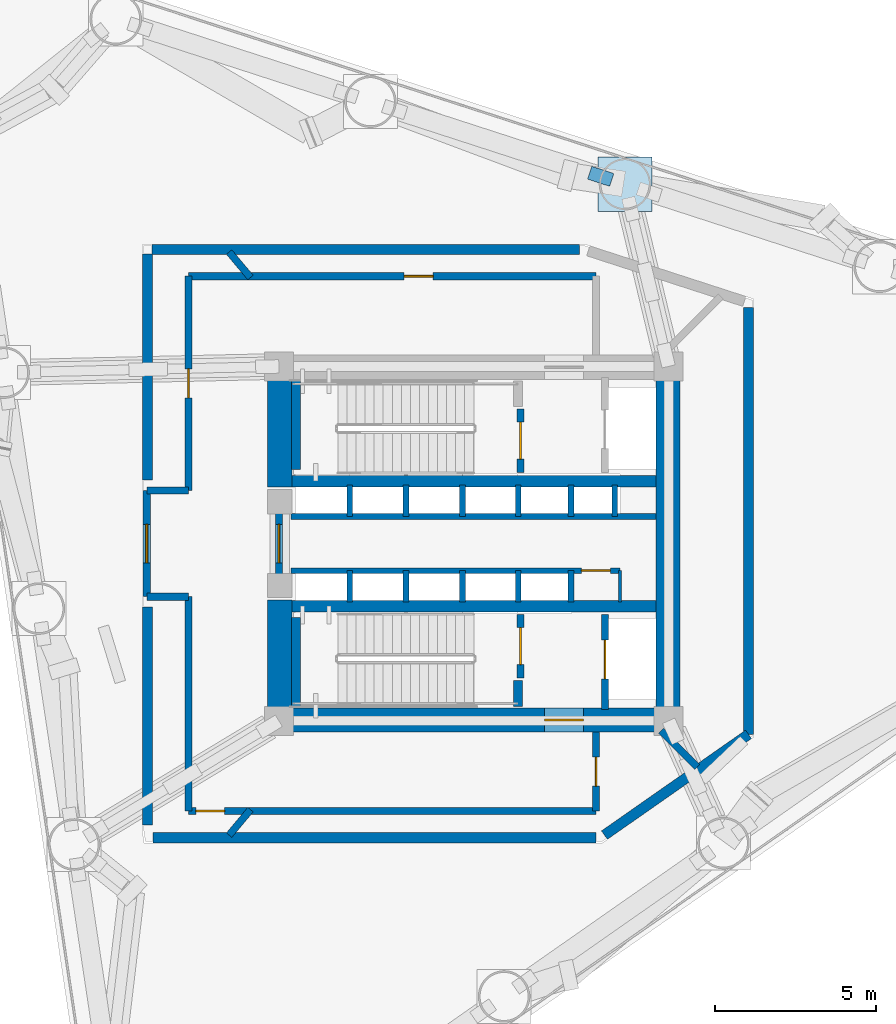
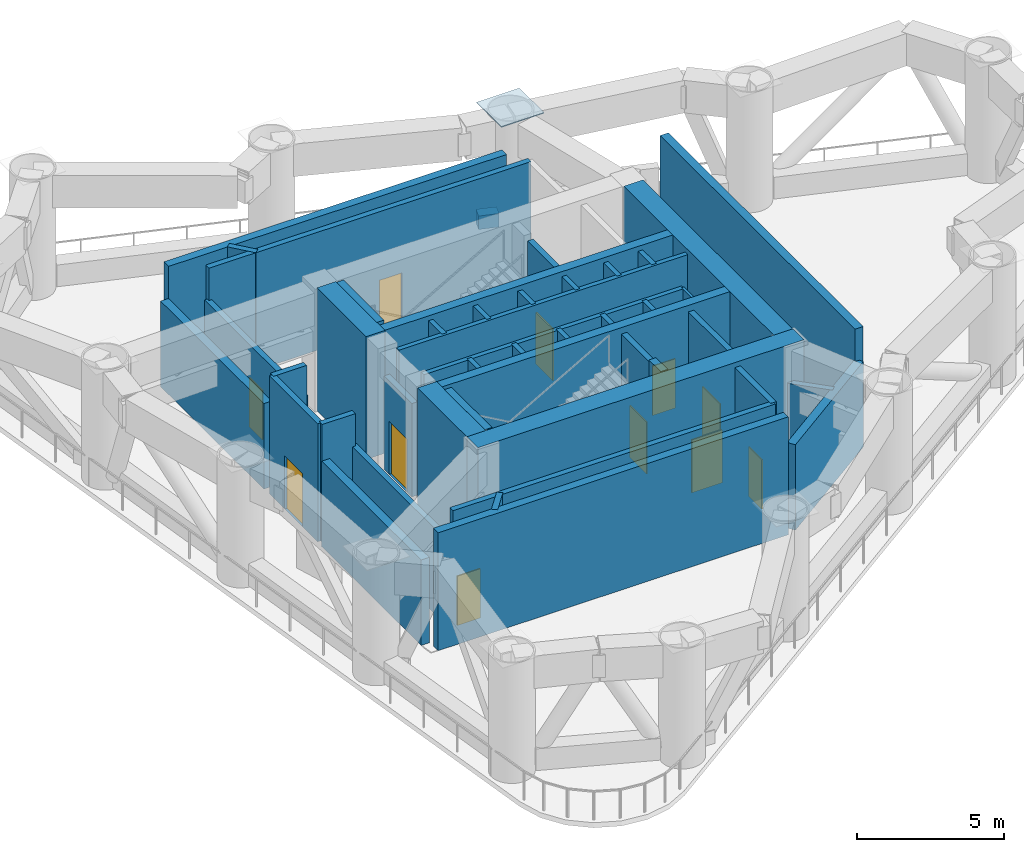
# One storey, part 4 of 8: 44 walls, 11 doors, 2 plates, 11 openings.
"""IFC4 building model written with IfcOpenShell, lengths in metres."""

from ifc_helpers import new_model, si_unit, direction, frame, frame_2d, origin, origin_2d, place, context, subcontext, project, spatial, rectangle, extrude, source, transform, mapped, material, layer, layer_set, type_object, element, fill, save


model = new_model("IFC4")

# Units and contexts
model_context = context("Model", 3, precision=1e-05, world=origin(), true_north=direction((0.0, 1.0)))
body_context = subcontext(model_context, "Body", "Model", "MODEL_VIEW")
ifc_project = project(units=[si_unit("LENGTHUNIT", "METRE"), si_unit("AREAUNIT", "SQUARE_METRE"), si_unit("VOLUMEUNIT", "CUBIC_METRE"), si_unit("PLANEANGLEUNIT", "RADIAN"), si_unit("MASSUNIT", "GRAM", prefix="KILO")], contexts=[model_context])

# Site, building, storey
site_placement = place(None, origin())
site = spatial("IfcSite", under=ifc_project, at=site_placement, CompositionType="ELEMENT")
building_placement = place(site_placement, origin())
building = spatial("IfcBuilding", under=site, at=building_placement, Name="Yunling Apex Tower", CompositionType="ELEMENT")
storey_placement = place(building_placement, frame((0.0, 0.0, 84.800048828125)))
storey = spatial("IfcBuildingStorey", under=building, at=storey_placement, Name="RF2", CompositionType="ELEMENT", Elevation=84.800048828125)

# Plates
ifc_material_1 = material(Name="Steel Q355B", Category="steel")
ifc_layer_1 = layer(ifc_material_1, 0.030029296875)
ifc_layer_set_1 = layer_set([ifc_layer_1], Name="Steel Q355B")
plate_type_1 = type_object("IfcPlateType", Name="NP-CAP-1", PredefinedType="USERDEFINED", material=ifc_layer_set_1)
shared_shape_1 = source(origin(), body_context, "Body", "SweptSolid", [
    extrude(rectangle(XDim=1.679931640625, YDim=1.679931640625, at=origin_2d()), origin(), (0.0, 0.0, 1.0), 0.035888671875),
])
plate_1_placement = place(storey_placement, frame((4.69482421875, 11.15673828125, 4.9970703125), z_axis=(0.0, 0.0, 1.0), x_axis=(1.0, 0.0, 0.0)))
element("IfcPlate", 1, at=plate_1_placement, inside=storey, type_object=plate_type_1, Name="RF2 Lower-Block CFST Column Top Cap Plate P08", ObjectType="CAP_PLATE", PredefinedType="USERDEFINED", context=body_context, shape_type="MappedRepresentation", body=[
    mapped(shared_shape_1, transform((0.0, 0.0, 0.0), scale=1.0)),
])
ifc_layer_2 = layer(ifc_material_1, 0.035888671875)
ifc_layer_set_2 = layer_set([ifc_layer_2], Name="Steel Q355B")
plate_type_2 = type_object("IfcPlateType", Name="NP-GUS-1", PredefinedType="USERDEFINED", material=ifc_layer_set_2)
shared_shape_2 = source(origin(), body_context, "Body", "SweptSolid", [
    extrude(rectangle(XDim=0.719970703125, YDim=0.419921875, at=origin_2d()), origin(), (0.0, 0.0, 1.0), 0.56005859375),
])
plate_2_placement = place(storey_placement, frame((3.94140625, 11.40087890625, 0.27001953125), z_axis=(0.0, 0.0, 1.0), x_axis=(-0.951272019071, 0.30835295642, 0.0)))
element("IfcPlate", 2, at=plate_2_placement, inside=storey, type_object=plate_type_2, Name="RF2 Belt Chord End Gusset Plate 62", ObjectType="GUSSET_PLATE", PredefinedType="USERDEFINED", context=body_context, shape_type="MappedRepresentation", body=[
    mapped(shared_shape_2, transform((0.0, 0.0, 0.0), scale=1.0)),
])

# Wall, opening, door
ifc_material_2 = material(Name="Concrete C60", Category="concrete")
ifc_layer_3 = layer(ifc_material_2, 0.75)
ifc_layer_set_3 = layer_set([ifc_layer_3], Name="Concrete C60")
wall_type_1 = type_object("IfcWallType", Name="WL-COR-1", PredefinedType="SHEAR", material=ifc_layer_set_3)
wall_1_placement = place(storey_placement, frame((-6.39990234375, -5.47509765625, 0.0), z_axis=(0.0, 0.0, 1.0), x_axis=(1.0, 0.0, 0.0)))
wall_1 = element("IfcWall", 3, at=wall_1_placement, inside=storey, type_object=wall_type_1, Name="RF2 South Core Shear Wall", PredefinedType="SHEAR", context=body_context, shape_type="SweptSolid", body=[
    extrude(rectangle(XDim=12.7998046875, YDim=0.75, at=frame_2d((6.39990234375, 0.0))), origin(), (0.0, 0.0, 1.0), 5.099853515625),
])
opening_1_placement = place(wall_1_placement, frame((8.60009765625, 0.0, 0.0)))
opening_1 = element("IfcOpeningElement", 4, at=opening_1_placement, cuts=wall_1, Name="Opening DR-FFL-1", PredefinedType="OPENING", context=body_context, shape_type="SweptSolid", body=[
    extrude(rectangle(XDim=1.199951171875, YDim=2.199951171875, at=frame_2d((0.60009765625, 1.10009765625))), frame((0.0, 0.385009765625, 0.0), z_axis=(0.0, -1.0, 0.0), x_axis=(1.0, 0.0, 0.0)), (0.0, 0.0, 1.0), 0.77001953125),
])
door_type_1 = type_object("IfcDoorType", Name="DR-FFL-1", OperationType="NOTDEFINED", PredefinedType="DOOR", material=ifc_material_1)
door_1_placement = place(opening_1_placement, origin())
door_1 = element("IfcDoor", 5, at=door_1_placement, inside=storey, type_object=door_type_1, Name="RF2 South Firefighting Lobby Door", OperationType="SINGLE_SWING_RIGHT", OverallHeight=2.199951171875, OverallWidth=1.199951171875, PredefinedType="DOOR", context=body_context, shape_type="SweptSolid", body=[
    extrude(rectangle(XDim=1.199951171875, YDim=2.199951171875, at=frame_2d((0.60009765625, 1.10009765625))), frame((0.0, 0.02490234375, 0.0), z_axis=(0.0, -1.0, 0.0), x_axis=(1.0, 0.0, 0.0)), (0.0, 0.0, 1.0), 0.050048828125),
])
fill(opening_1, door_1)

# Walls
wall_2_placement = place(storey_placement, frame((6.02490234375, -5.10009765625, 0.0), z_axis=(0.0, 0.0, 1.0), x_axis=(0.0, 1.0, 0.0)))
element("IfcWall", 6, at=wall_2_placement, inside=storey, type_object=wall_type_1, Name="RF2 East Core Shear Wall", PredefinedType="SHEAR", context=body_context, shape_type="SweptSolid", body=[
    extrude(rectangle(XDim=10.2001953125, YDim=0.75, at=frame_2d((5.10009765625, 0.0))), origin(), (0.0, 0.0, 1.0), 5.099853515625),
])
for number, where, z_axis, x_axis, name in (
    (7, (-6.02490234375, -5.10009765625, 0.0), (0.0, 0.0, 1.0), (0.0, 1.0, 0.0), "RF2 West-South Core Shear Wall"),
    (8, (-6.02490234375, 1.75, 0.0), (0.0, 0.0, 1.0), (0.0, 1.0, 0.0), "RF2 West-North Core Shear Wall"),
):
    element("IfcWall", number, at=place(storey_placement, frame(where, z_axis=z_axis, x_axis=x_axis)), inside=storey, type_object=wall_type_1, Name=name, PredefinedType="SHEAR", context=body_context, shape_type="SweptSolid", body=[
        extrude(rectangle(XDim=3.35009765625, YDim=0.75, at=frame_2d((1.675048828125, 0.0))), origin(), (0.0, 0.0, 1.0), 5.099853515625),
    ])
ifc_material_3 = material(Name="Concrete C40", Category="concrete")
ifc_layer_4 = layer(ifc_material_3, 0.360107421875)
ifc_layer_set_4 = layer_set([ifc_layer_4], Name="Concrete C40")
wall_type_2 = type_object("IfcWallType", Name="WL-COR-4", PredefinedType="SHEAR", material=ifc_layer_set_4)
for number, where, z_axis, x_axis, name in (
    (9, (-5.64990234375, 1.93994140625, 0.0), (0.0, 0.0, 1.0), (1.0, 0.0, 0.0), "RF2 North Internal Core Shear Wall"),
    (10, (-5.64990234375, -1.93994140625, 0.0), (0.0, 0.0, 1.0), (1.0, 0.0, 0.0), "RF2 South Internal Core Shear Wall"),
):
    element("IfcWall", number, at=place(storey_placement, frame(where, z_axis=z_axis, x_axis=x_axis)), inside=storey, type_object=wall_type_2, Name=name, PredefinedType="SHEAR", context=body_context, shape_type="SweptSolid", body=[
        extrude(rectangle(XDim=11.2998046875, YDim=0.360107421875, at=frame_2d((5.64990234375, 0.0))), origin(), (0.0, 0.0, 1.0), 5.099853515625),
    ])
ifc_layer_5 = layer(ifc_material_3, 0.280029296875)
ifc_layer_set_5 = layer_set([ifc_layer_5], Name="Concrete C40")
wall_type_3 = type_object("IfcWallType", Name="WL-COR-8", PredefinedType="SHEAR", material=ifc_layer_set_5)
for number, where, z_axis, x_axis, name in (
    (11, (-5.52001953125, 2.300048828125, 0.0), (0.0, 0.0, 1.0), (0.0, 1.0, 0.0), "RF2 ST-1 West Landing Bearing Wall"),
    (12, (-5.52001953125, -5.050048828125, 0.0), (0.0, 0.0, 1.0), (0.0, 1.0, 0.0), "RF2 ST-2 West Landing Bearing Wall"),
):
    element("IfcWall", number, at=place(storey_placement, frame(where, z_axis=z_axis, x_axis=x_axis)), inside=storey, type_object=wall_type_3, Name=name, PredefinedType="SHEAR", context=body_context, shape_type="SweptSolid", body=[
        extrude(rectangle(XDim=2.75, YDim=0.280029296875, at=frame_2d((1.375, 0.0))), origin(), (0.0, 0.0, 1.0), 5.099853515625),
    ])
wall_3_placement = place(storey_placement, frame((1.3798828125, -5.050048828125, 0.0), z_axis=(0.0, 0.0, 1.0), x_axis=(0.0, 1.0, 0.0)))
element("IfcWall", 13, at=wall_3_placement, inside=storey, type_object=wall_type_3, Name="RF2 ST-2 East Landing Bearing Pier", PredefinedType="SHEAR", context=body_context, shape_type="SweptSolid", body=[
    extrude(rectangle(XDim=0.800048828125, YDim=0.280029296875, at=frame_2d((0.39990234375, 0.0))), origin(), (0.0, 0.0, 1.0), 5.099853515625),
])
ifc_material_4 = material(Name="Precast concrete C40", Category="concrete")
ifc_layer_6 = layer(ifc_material_4, 0.320068359375)
ifc_layer_set_6 = layer_set([ifc_layer_6], Name="Precast concrete C40")
wall_type_4 = type_object("IfcWallType", Name="WL-EXT-1", PredefinedType="SOLIDWALL", material=ifc_layer_set_6)
wall_4_placement = place(storey_placement, frame((8.530029296875, -5.921630859375, 0.0), z_axis=(0.0, 0.0, 1.0), x_axis=(-0.819536456939, -0.573027046262, 0.0)))
element("IfcWall", 14, at=wall_4_placement, inside=storey, type_object=wall_type_4, Name="WL-RF2-IR-01", PredefinedType="SOLIDWALL", context=body_context, shape_type="SweptSolid", body=[
    extrude(rectangle(XDim=5.458984375, YDim=0.320068359375, at=frame_2d((2.7294921875, 0.0))), origin(), (0.0, 0.0, 1.0), 3.550048828125),
])
wall_5_placement = place(storey_placement, frame((3.80126953125, -9.1298828125, 0.0), z_axis=(0.0, 0.0, 1.0), x_axis=(-1.0, 0.0, 0.0)))
element("IfcWall", 15, at=wall_5_placement, inside=storey, type_object=wall_type_4, Name="WL-RF2-IR-02", PredefinedType="SOLIDWALL", context=body_context, shape_type="SweptSolid", body=[
    extrude(rectangle(XDim=13.752685546875, YDim=0.320068359375, at=frame_2d((6.87646484375, 0.0))), origin(), (0.0, 0.0, 1.0), 4.89501953125),
])
wall_6_placement = place(storey_placement, frame((-10.1298828125, -8.7314453125, 0.0), z_axis=(0.0, 0.0, 1.0), x_axis=(0.0, 1.0, 0.0)))
element("IfcWall", 16, at=wall_6_placement, inside=storey, type_object=wall_type_4, Name="WL-RF2-IR-03", PredefinedType="SOLIDWALL", context=body_context, shape_type="SweptSolid", body=[
    extrude(rectangle(XDim=6.761474609375, YDim=0.320068359375, at=frame_2d((3.380859375, 0.0))), origin(), (0.0, 0.0, 1.0), 3.550048828125),
])
wall_7_placement = place(storey_placement, frame((-10.1298828125, 1.969970703125, 0.0), z_axis=(0.0, 0.0, 1.0), x_axis=(0.0, 1.0, 0.0)))
element("IfcWall", 17, at=wall_7_placement, inside=storey, type_object=wall_type_4, Name="WL-RF2-IR-04", PredefinedType="SOLIDWALL", context=body_context, shape_type="SweptSolid", body=[
    extrude(rectangle(XDim=7.02001953125, YDim=0.320068359375, at=frame_2d((3.510009765625, 0.0))), origin(), (0.0, 0.0, 1.0), 3.550048828125),
])
wall_8_placement = place(storey_placement, frame((-9.989990234375, 9.1298828125, 0.0), z_axis=(0.0, 0.0, 1.0), x_axis=(1.0, 0.0, 0.0)))
element("IfcWall", 18, at=wall_8_placement, inside=storey, type_object=wall_type_4, Name="WL-RF2-IR-05", PredefinedType="SOLIDWALL", context=body_context, shape_type="SweptSolid", body=[
    extrude(rectangle(XDim=13.273681640625, YDim=0.320068359375, at=frame_2d((6.63671875, 0.0))), origin(), (0.0, 0.0, 1.0), 4.89501953125),
])
wall_9_placement = place(storey_placement, frame((8.530029296875, 7.334716796875, 0.0), z_axis=(0.0, 0.0, 1.0), x_axis=(0.0, -1.0, 0.0)))
element("IfcWall", 19, at=wall_9_placement, inside=storey, type_object=wall_type_4, Name="WL-RF2-IR-07", PredefinedType="SOLIDWALL", context=body_context, shape_type="SweptSolid", body=[
    extrude(rectangle(XDim=13.25634765625, YDim=0.320068359375, at=frame_2d((6.628173828125, 0.0))), origin(), (0.0, 0.0, 1.0), 4.89501953125),
])
ifc_material_5 = material(Name="Gypsum board acoustic partition")
ifc_layer_7 = layer(ifc_material_5, 0.10009765625)
ifc_layer_set_7 = layer_set([ifc_layer_7], Name="Gypsum board acoustic partition")
wall_type_5 = type_object("IfcWallType", Name="WL-PRT-4", PredefinedType="PARTITIONING", material=ifc_layer_set_7)
wall_10_placement = place(storey_placement, frame((4.5400390625, -1.820068359375, 0.0), z_axis=(0.0, 0.0, 1.0), x_axis=(0.0, 1.0, 0.0)))
element("IfcWall", 20, at=wall_10_placement, inside=storey, type_object=wall_type_5, Name="WL-KASE-E-RF2", PredefinedType="PARTITIONING", context=body_context, shape_type="SweptSolid", body=[
    extrude(rectangle(XDim=0.97998046875, YDim=0.10009765625, at=frame_2d((0.489990234375, 0.0))), origin(), (0.0, 0.0, 1.0), 4.89501953125),
])

# Wall, opening, door
ifc_material_6 = material(Name="Autoclaved aerated concrete masonry", Category="masonry")
ifc_layer_8 = layer(ifc_material_6, 0.219970703125)
ifc_layer_set_8 = layer_set([ifc_layer_8], Name="Autoclaved aerated concrete masonry")
wall_type_6 = type_object("IfcWallType", Name="WL-SHF-1", PredefinedType="PLUMBINGWALL", material=ifc_layer_set_8)
wall_11_placement = place(storey_placement, frame((-6.050048828125, -0.949951171875, 0.0), z_axis=(0.0, 0.0, 1.0), x_axis=(0.0, 1.0, 0.0)))
wall_11 = element("IfcWall", 21, at=wall_11_placement, inside=storey, type_object=wall_type_6, Name="WL-COR-WPORT-RF2", PredefinedType="PLUMBINGWALL", context=body_context, shape_type="SweptSolid", body=[
    extrude(rectangle(XDim=1.89990234375, YDim=0.219970703125, at=frame_2d((0.949951171875, 0.0))), origin(), (0.0, 0.0, 1.0), 3.875),
])
opening_2_placement = place(wall_11_placement, frame((0.35009765625, 0.0, 0.0)))
opening_2 = element("IfcOpeningElement", 22, at=opening_2_placement, cuts=wall_11, Name="Opening DR-FFL-1", PredefinedType="OPENING", context=body_context, shape_type="SweptSolid", body=[
    extrude(rectangle(XDim=1.199951171875, YDim=2.199951171875, at=frame_2d((0.60009765625, 1.10009765625))), frame((0.0, 0.1201171875, 0.0), z_axis=(0.0, -1.0, 0.0), x_axis=(1.0, 0.0, 0.0)), (0.0, 0.0, 1.0), 0.239990234375),
])
door_2_placement = place(opening_2_placement, origin())
door_2 = element("IfcDoor", 23, at=door_2_placement, inside=storey, type_object=door_type_1, Name="RF2 Passenger Lift Lobby Entrance Door", OperationType="SINGLE_SWING_LEFT", OverallHeight=2.199951171875, OverallWidth=1.199951171875, PredefinedType="DOOR", context=body_context, shape_type="SweptSolid", body=[
    extrude(rectangle(XDim=1.199951171875, YDim=2.199951171875, at=frame_2d((0.60009765625, 1.10009765625))), frame((0.0, 0.02490234375, 0.0), z_axis=(0.0, -1.0, 0.0), x_axis=(1.0, 0.0, 0.0)), (0.0, 0.0, 1.0), 0.050048828125),
])
fill(opening_2, door_2)

wall_12_placement = place(storey_placement, frame((1.449951171875, 2.199951171875, 0.0), z_axis=(0.0, 0.0, 1.0), x_axis=(0.0, 1.0, 0.0)))
wall_12 = element("IfcWall", 24, at=wall_12_placement, inside=storey, type_object=wall_type_6, Name="WL-ST1-E-RF2", PredefinedType="PLUMBINGWALL", context=body_context, shape_type="SweptSolid", body=[
    extrude(rectangle(XDim=1.97998046875, YDim=0.219970703125, at=frame_2d((0.989990234375, 0.0))), origin(), (0.0, 0.0, 1.0), 4.89501953125),
])
opening_3_placement = place(wall_12_placement, frame((0.419921875, 0.0, 0.0)))
opening_3 = element("IfcOpeningElement", 25, at=opening_3_placement, cuts=wall_12, Name="Opening DR-ST-1", PredefinedType="OPENING", context=body_context, shape_type="SweptSolid", body=[
    extrude(rectangle(XDim=1.14990234375, YDim=2.14990234375, at=frame_2d((0.574951171875, 1.074951171875))), frame((0.0, 0.1201171875, 0.0), z_axis=(0.0, -1.0, 0.0), x_axis=(1.0, 0.0, 0.0)), (0.0, 0.0, 1.0), 0.239990234375),
])
door_type_2 = type_object("IfcDoorType", Name="DR-ST-1", OperationType="NOTDEFINED", PredefinedType="DOOR", material=ifc_material_1)
door_3_placement = place(opening_3_placement, origin())
door_3 = element("IfcDoor", 26, at=door_3_placement, inside=storey, type_object=door_type_2, Name="RF2 Stair ST-1 Fire Door", OperationType="SINGLE_SWING_RIGHT", OverallHeight=2.14990234375, OverallWidth=1.14990234375, PredefinedType="DOOR", context=body_context, shape_type="SweptSolid", body=[
    extrude(rectangle(XDim=1.14990234375, YDim=2.14990234375, at=frame_2d((0.574951171875, 1.074951171875))), frame((0.0, 0.02490234375, 0.0), z_axis=(0.0, -1.0, 0.0), x_axis=(1.0, 0.0, 0.0)), (0.0, 0.0, 1.0), 0.050048828125),
])
fill(opening_3, door_3)

wall_13_placement = place(storey_placement, frame((1.449951171875, -4.179931640625, 0.0), z_axis=(0.0, 0.0, 1.0), x_axis=(0.0, 1.0, 0.0)))
wall_13 = element("IfcWall", 27, at=wall_13_placement, inside=storey, type_object=wall_type_6, Name="WL-ST2-E-RF2", PredefinedType="PLUMBINGWALL", context=body_context, shape_type="SweptSolid", body=[
    extrude(rectangle(XDim=1.97998046875, YDim=0.219970703125, at=frame_2d((0.989990234375, 0.0))), origin(), (0.0, 0.0, 1.0), 4.89501953125),
])
opening_4_placement = place(wall_13_placement, frame((0.419921875, 0.0, 0.0)))
opening_4 = element("IfcOpeningElement", 28, at=opening_4_placement, cuts=wall_13, Name="Opening DR-ST-1", PredefinedType="OPENING", context=body_context, shape_type="SweptSolid", body=[
    extrude(rectangle(XDim=1.14990234375, YDim=2.14990234375, at=frame_2d((0.574951171875, 1.074951171875))), frame((0.0, 0.1201171875, 0.0), z_axis=(0.0, -1.0, 0.0), x_axis=(1.0, 0.0, 0.0)), (0.0, 0.0, 1.0), 0.239990234375),
])
door_4_placement = place(opening_4_placement, origin())
door_4 = element("IfcDoor", 29, at=door_4_placement, inside=storey, type_object=door_type_2, Name="RF2 Stair ST-2 Fire Door", OperationType="SINGLE_SWING_LEFT", OverallHeight=2.14990234375, OverallWidth=1.14990234375, PredefinedType="DOOR", context=body_context, shape_type="SweptSolid", body=[
    extrude(rectangle(XDim=1.14990234375, YDim=2.14990234375, at=frame_2d((0.574951171875, 1.074951171875))), frame((0.0, 0.02490234375, 0.0), z_axis=(0.0, -1.0, 0.0), x_axis=(1.0, 0.0, 0.0)), (0.0, 0.0, 1.0), 0.050048828125),
])
fill(opening_4, door_4)

wall_14_placement = place(storey_placement, frame((4.080078125, -5.14990234375, 0.0), z_axis=(0.0, 0.0, 1.0), x_axis=(0.0, 1.0, 0.0)))
wall_14 = element("IfcWall", 30, at=wall_14_placement, inside=storey, type_object=wall_type_6, Name="WL-FFL2-W-RF2", PredefinedType="PLUMBINGWALL", context=body_context, shape_type="SweptSolid", body=[
    extrude(rectangle(XDim=2.949951171875, YDim=0.219970703125, at=frame_2d((1.47509765625, 0.0))), origin(), (0.0, 0.0, 1.0), 4.89501953125),
])
opening_5_placement = place(wall_14_placement, frame((0.949951171875, 0.0, 0.0)))
opening_5 = element("IfcOpeningElement", 31, at=opening_5_placement, cuts=wall_14, Name="Opening LD-FFL-1", PredefinedType="OPENING", context=body_context, shape_type="SweptSolid", body=[
    extrude(rectangle(XDim=1.199951171875, YDim=2.25, at=frame_2d((0.60009765625, 1.125))), frame((0.0, 0.1201171875, 0.0), z_axis=(0.0, -1.0, 0.0), x_axis=(1.0, 0.0, 0.0)), (0.0, 0.0, 1.0), 0.239990234375),
])
door_type_3 = type_object("IfcDoorType", Name="LD-FFL-1", OperationType="DOUBLE_DOOR_SLIDING", PredefinedType="DOOR", material=ifc_material_1)
door_5_placement = place(opening_5_placement, origin())
door_5 = element("IfcDoor", 32, at=door_5_placement, inside=storey, type_object=door_type_3, Name="RF2 Lift FFL-2 Landing Door", OperationType="DOUBLE_DOOR_SLIDING", OverallHeight=2.25, OverallWidth=1.199951171875, PredefinedType="DOOR", context=body_context, shape_type="SweptSolid", body=[
    extrude(rectangle(XDim=1.199951171875, YDim=2.25, at=frame_2d((0.60009765625, 1.125))), frame((0.0, 0.02490234375, 0.0), z_axis=(0.0, -1.0, 0.0), x_axis=(1.0, 0.0, 0.0)), (0.0, 0.0, 1.0), 0.050048828125),
])
fill(opening_5, door_5)

# Walls
for number, where, z_axis, x_axis, name in (
    (33, (-6.930908203125, 8.260009765625, 0.0), (0.0, 0.0, 1.0), (-0.642881168458, 0.765965928251, 0.0), "WL-RF2-PDIV-130"),
    (34, (-6.930908203125, -8.260009765625, 0.0), (0.0, 0.0, 1.0), (-0.642881168458, -0.765965928251, 0.0), "WL-RF2-PDIV-230"),
):
    element("IfcWall", number, at=place(storey_placement, frame(where, z_axis=z_axis, x_axis=x_axis)), inside=storey, type_object=wall_type_6, Name=name, PredefinedType="PLUMBINGWALL", context=body_context, shape_type="SweptSolid", body=[
        extrude(rectangle(XDim=1.031494140625, YDim=0.219970703125, at=frame_2d((0.515625, 0.0))), origin(), (0.0, 0.0, 1.0), 4.89501953125),
    ])
wall_15_placement = place(storey_placement, frame((5.81005859375, -5.81005859375, 0.0), z_axis=(0.0, 0.0, 1.0), x_axis=(0.707106781187, -0.707106781187, 0.0)))
element("IfcWall", 35, at=wall_15_placement, inside=storey, type_object=wall_type_6, Name="WL-RF2-PDIV-315", PredefinedType="PLUMBINGWALL", context=body_context, shape_type="SweptSolid", body=[
    extrude(rectangle(XDim=1.594482421875, YDim=0.219970703125, at=frame_2d((0.79736328125, 0.0))), origin(), (0.0, 0.0, 1.0), 3.550048828125),
])

# Wall, opening, door
wall_16_placement = place(storey_placement, frame((3.800048828125, -5.85009765625, 0.0), z_axis=(0.0, 0.0, 1.0), x_axis=(0.0, -1.0, 0.0)))
wall_16 = element("IfcWall", 36, at=wall_16_placement, inside=storey, type_object=wall_type_6, Name="WL-RF2-PCR-01", PredefinedType="PLUMBINGWALL", context=body_context, shape_type="SweptSolid", body=[
    extrude(rectangle(XDim=2.449951171875, YDim=0.219970703125, at=frame_2d((1.22509765625, 0.0))), origin(), (0.0, 0.0, 1.0), 4.89501953125),
])
opening_6_placement = place(wall_16_placement, frame((0.77490234375, 0.0, 0.0)))
opening_6 = element("IfcOpeningElement", 37, at=opening_6_placement, cuts=wall_16, Name="Opening DR-SHF-1", PredefinedType="OPENING", context=body_context, shape_type="SweptSolid", body=[
    extrude(rectangle(XDim=0.89990234375, YDim=2.050048828125, at=frame_2d((0.449951171875, 1.02490234375))), frame((0.0, 0.1201171875, 0.0), z_axis=(0.0, -1.0, 0.0), x_axis=(1.0, 0.0, 0.0)), (0.0, 0.0, 1.0), 0.239990234375),
])
door_type_4 = type_object("IfcDoorType", Name="DR-SHF-1", OperationType="NOTDEFINED", PredefinedType="DOOR", material=ifc_material_1)
door_6_placement = place(opening_6_placement, origin())
door_6 = element("IfcDoor", 38, at=door_6_placement, inside=storey, type_object=door_type_4, Name="RF2 Dedicated Outdoor Air AHU Fan Plant Room Door", OperationType="SINGLE_SWING_LEFT", OverallHeight=2.050048828125, OverallWidth=0.89990234375, PredefinedType="DOOR", context=body_context, shape_type="SweptSolid", body=[
    extrude(rectangle(XDim=0.89990234375, YDim=2.050048828125, at=frame_2d((0.449951171875, 1.02490234375))), frame((0.0, 0.02490234375, 0.0), z_axis=(0.0, -1.0, 0.0), x_axis=(1.0, 0.0, 0.0)), (0.0, 0.0, 1.0), 0.050048828125),
])
fill(opening_6, door_6)

wall_17_placement = place(storey_placement, frame((3.800048828125, -8.300048828125, 0.0), z_axis=(0.0, 0.0, 1.0), x_axis=(-1.0, 0.0, 0.0)))
wall_17 = element("IfcWall", 39, at=wall_17_placement, inside=storey, type_object=wall_type_6, Name="WL-RF2-PCR-02", PredefinedType="PLUMBINGWALL", context=body_context, shape_type="SweptSolid", body=[
    extrude(rectangle(XDim=12.650146484375, YDim=0.219970703125, at=frame_2d((6.3251953125, 0.0))), origin(), (0.0, 0.0, 1.0), 4.89501953125),
])
opening_7_placement = place(wall_17_placement, frame((11.530029296875, 0.0, 0.0)))
opening_7 = element("IfcOpeningElement", 40, at=opening_7_placement, cuts=wall_17, Name="Opening DR-SHF-1", PredefinedType="OPENING", context=body_context, shape_type="SweptSolid", body=[
    extrude(rectangle(XDim=0.89990234375, YDim=2.050048828125, at=frame_2d((0.449951171875, 1.02490234375))), frame((0.0, 0.1201171875, 0.0), z_axis=(0.0, -1.0, 0.0), x_axis=(1.0, 0.0, 0.0)), (0.0, 0.0, 1.0), 0.239990234375),
])
door_7_placement = place(opening_7_placement, origin())
door_7 = element("IfcDoor", 41, at=door_7_placement, inside=storey, type_object=door_type_4, Name="RF2 Plate Heat-Exchanger and Chiller Plant Room Door", OperationType="SINGLE_SWING_RIGHT", OverallHeight=2.050048828125, OverallWidth=0.89990234375, PredefinedType="DOOR", context=body_context, shape_type="SweptSolid", body=[
    extrude(rectangle(XDim=0.89990234375, YDim=2.050048828125, at=frame_2d((0.449951171875, 1.02490234375))), frame((0.0, 0.02490234375, 0.0), z_axis=(0.0, -1.0, 0.0), x_axis=(1.0, 0.0, 0.0)), (0.0, 0.0, 1.0), 0.050048828125),
])
fill(opening_7, door_7)

# Walls
wall_18_placement = place(storey_placement, frame((-8.85009765625, -8.300048828125, 0.0), z_axis=(0.0, 0.0, 1.0), x_axis=(0.0, 1.0, 0.0)))
element("IfcWall", 42, at=wall_18_placement, inside=storey, type_object=wall_type_6, Name="WL-RF2-PCR-03", PredefinedType="PLUMBINGWALL", context=body_context, shape_type="SweptSolid", body=[
    extrude(rectangle(XDim=6.650146484375, YDim=0.219970703125, at=frame_2d((3.3251953125, 0.0))), origin(), (0.0, 0.0, 1.0), 3.550048828125),
])
wall_19_placement = place(storey_placement, frame((-8.85009765625, -1.64990234375, 0.0), z_axis=(0.0, 0.0, 1.0), x_axis=(-1.0, 0.0, 0.0)))
element("IfcWall", 43, at=wall_19_placement, inside=storey, type_object=wall_type_6, Name="WL-RF2-PCR-04", PredefinedType="PLUMBINGWALL", context=body_context, shape_type="SweptSolid", body=[
    extrude(rectangle(XDim=1.2998046875, YDim=0.219970703125, at=frame_2d((0.64990234375, 0.0))), origin(), (0.0, 0.0, 1.0), 4.89501953125),
])

# Wall, opening, door
wall_20_placement = place(storey_placement, frame((-10.14990234375, -1.64990234375, 0.0), z_axis=(0.0, 0.0, 1.0), x_axis=(0.0, 1.0, 0.0)))
wall_20 = element("IfcWall", 44, at=wall_20_placement, inside=storey, type_object=wall_type_6, Name="WL-RF2-PCR-05", PredefinedType="PLUMBINGWALL", context=body_context, shape_type="SweptSolid", body=[
    extrude(rectangle(XDim=3.2998046875, YDim=0.219970703125, at=frame_2d((1.64990234375, 0.0))), origin(), (0.0, 0.0, 1.0), 4.89501953125),
])
opening_8_placement = place(wall_20_placement, frame((1.050048828125, 0.0, 0.0)))
opening_8 = element("IfcOpeningElement", 45, at=opening_8_placement, cuts=wall_20, Name="Opening DR-FFL-1", PredefinedType="OPENING", context=body_context, shape_type="SweptSolid", body=[
    extrude(rectangle(XDim=1.199951171875, YDim=2.199951171875, at=frame_2d((0.60009765625, 1.10009765625))), frame((0.0, 0.1201171875, 0.0), z_axis=(0.0, -1.0, 0.0), x_axis=(1.0, 0.0, 0.0)), (0.0, 0.0, 1.0), 0.239990234375),
])
door_8_placement = place(opening_8_placement, origin())
door_8 = element("IfcDoor", 46, at=door_8_placement, inside=storey, type_object=door_type_1, Name="RF2 West Refuge Terrace Exit Door", OperationType="SINGLE_SWING_LEFT", OverallHeight=2.199951171875, OverallWidth=1.199951171875, PredefinedType="DOOR", context=body_context, shape_type="SweptSolid", body=[
    extrude(rectangle(XDim=1.199951171875, YDim=2.199951171875, at=frame_2d((0.60009765625, 1.10009765625))), frame((0.0, 0.02490234375, 0.0), z_axis=(0.0, -1.0, 0.0), x_axis=(1.0, 0.0, 0.0)), (0.0, 0.0, 1.0), 0.050048828125),
])
fill(opening_8, door_8)

# Wall
wall_21_placement = place(storey_placement, frame((-10.14990234375, 1.64990234375, 0.0), z_axis=(0.0, 0.0, 1.0), x_axis=(1.0, 0.0, 0.0)))
element("IfcWall", 47, at=wall_21_placement, inside=storey, type_object=wall_type_6, Name="WL-RF2-PCR-06", PredefinedType="PLUMBINGWALL", context=body_context, shape_type="SweptSolid", body=[
    extrude(rectangle(XDim=1.2998046875, YDim=0.219970703125, at=frame_2d((0.64990234375, 0.0))), origin(), (0.0, 0.0, 1.0), 4.89501953125),
])

# Wall, opening, door
wall_22_placement = place(storey_placement, frame((-8.85009765625, 1.64990234375, 0.0), z_axis=(0.0, 0.0, 1.0), x_axis=(0.0, 1.0, 0.0)))
wall_22 = element("IfcWall", 48, at=wall_22_placement, inside=storey, type_object=wall_type_6, Name="WL-RF2-PCR-07", PredefinedType="PLUMBINGWALL", context=body_context, shape_type="SweptSolid", body=[
    extrude(rectangle(XDim=6.650146484375, YDim=0.219970703125, at=frame_2d((3.3251953125, 0.0))), origin(), (0.0, 0.0, 1.0), 3.550048828125),
])
opening_9_placement = place(wall_22_placement, frame((2.875, 0.0, 0.0)))
opening_9 = element("IfcOpeningElement", 49, at=opening_9_placement, cuts=wall_22, Name="Opening DR-SHF-1", PredefinedType="OPENING", context=body_context, shape_type="SweptSolid", body=[
    extrude(rectangle(XDim=0.89990234375, YDim=2.050048828125, at=frame_2d((0.449951171875, 1.02490234375))), frame((0.0, 0.1201171875, 0.0), z_axis=(0.0, -1.0, 0.0), x_axis=(1.0, 0.0, 0.0)), (0.0, 0.0, 1.0), 0.239990234375),
])
door_9_placement = place(opening_9_placement, origin())
door_9 = element("IfcDoor", 50, at=door_9_placement, inside=storey, type_object=door_type_4, Name="RF2 Plate Heat-Exchanger and Chiller Plant Room Door", OperationType="SINGLE_SWING_RIGHT", OverallHeight=2.050048828125, OverallWidth=0.89990234375, PredefinedType="DOOR", context=body_context, shape_type="SweptSolid", body=[
    extrude(rectangle(XDim=0.89990234375, YDim=2.050048828125, at=frame_2d((0.449951171875, 1.02490234375))), frame((0.0, 0.02490234375, 0.0), z_axis=(0.0, -1.0, 0.0), x_axis=(1.0, 0.0, 0.0)), (0.0, 0.0, 1.0), 0.050048828125),
])
fill(opening_9, door_9)

wall_23_placement = place(storey_placement, frame((-8.85009765625, 8.300048828125, 0.0), z_axis=(0.0, 0.0, 1.0), x_axis=(1.0, 0.0, 0.0)))
wall_23 = element("IfcWall", 51, at=wall_23_placement, inside=storey, type_object=wall_type_6, Name="WL-RF2-PCR-08", PredefinedType="PLUMBINGWALL", context=body_context, shape_type="SweptSolid", body=[
    extrude(rectangle(XDim=12.650146484375, YDim=0.219970703125, at=frame_2d((6.3251953125, 0.0))), origin(), (0.0, 0.0, 1.0), 4.89501953125),
])
opening_10_placement = place(wall_23_placement, frame((6.687255859375, 0.0, 0.0)))
opening_10 = element("IfcOpeningElement", 52, at=opening_10_placement, cuts=wall_23, Name="Opening DR-SHF-1", PredefinedType="OPENING", context=body_context, shape_type="SweptSolid", body=[
    extrude(rectangle(XDim=0.89990234375, YDim=2.050048828125, at=frame_2d((0.449951171875, 1.02490234375))), frame((0.0, 0.1201171875, 0.0), z_axis=(0.0, -1.0, 0.0), x_axis=(1.0, 0.0, 0.0)), (0.0, 0.0, 1.0), 0.239990234375),
])
door_10_placement = place(opening_10_placement, origin())
door_10 = element("IfcDoor", 53, at=door_10_placement, inside=storey, type_object=door_type_4, Name="RF2 Intermediate Electrical Substation Plant Room Door", OperationType="SINGLE_SWING_LEFT", OverallHeight=2.050048828125, OverallWidth=0.89990234375, PredefinedType="DOOR", context=body_context, shape_type="SweptSolid", body=[
    extrude(rectangle(XDim=0.89990234375, YDim=2.050048828125, at=frame_2d((0.449951171875, 1.02490234375))), frame((0.0, 0.02490234375, 0.0), z_axis=(0.0, -1.0, 0.0), x_axis=(1.0, 0.0, 0.0)), (0.0, 0.0, 1.0), 0.050048828125),
])
fill(opening_10, door_10)

# Walls
ifc_layer_9 = layer(ifc_material_6, 0.179931640625)
ifc_layer_set_9 = layer_set([ifc_layer_9], Name="Autoclaved aerated concrete masonry")
wall_type_7 = type_object("IfcWallType", Name="WL-SHF-2", PredefinedType="PLUMBINGWALL", material=ifc_layer_set_9)
for number, where, z_axis, x_axis, name in (
    (54, (-3.85009765625, 0.840087890625, 0.0), (0.0, 0.0, 1.0), (0.0, 1.0, 0.0), "WL-DIV-L12-RF2"),
    (55, (-3.85009765625, -1.820068359375, 0.0), (0.0, 0.0, 1.0), (0.0, 1.0, 0.0), "WL-DIV-L34-RF2"),
    (56, (-2.10009765625, 0.840087890625, 0.0), (0.0, 0.0, 1.0), (0.0, 1.0, 0.0), "WL-BNK-LM-N-RF2"),
    (57, (-2.10009765625, -1.820068359375, 0.0), (0.0, 0.0, 1.0), (0.0, 1.0, 0.0), "WL-BNK-LM-S-RF2"),
    (58, (-0.35009765625, 0.840087890625, 0.0), (0.0, 0.0, 1.0), (0.0, 1.0, 0.0), "WL-DIV-M12-RF2"),
    (59, (-0.35009765625, -1.820068359375, 0.0), (0.0, 0.0, 1.0), (0.0, 1.0, 0.0), "WL-DIV-M34-RF2"),
    (60, (1.3798828125, 0.840087890625, 0.0), (0.0, 0.0, 1.0), (0.0, 1.0, 0.0), "WL-BNK-MH-N-RF2"),
    (61, (1.3798828125, -1.820068359375, 0.0), (0.0, 0.0, 1.0), (0.0, 1.0, 0.0), "WL-BNK-MH-S-RF2"),
    (62, (3.02001953125, 0.840087890625, 0.0), (0.0, 0.0, 1.0), (0.0, 1.0, 0.0), "WL-DIV-H13-RF2"),
    (63, (4.3798828125, 0.840087890625, 0.0), (0.0, 0.0, 1.0), (0.0, 1.0, 0.0), "WL-END-H3E-RF2"),
    (64, (3.02001953125, -1.820068359375, 0.0), (0.0, 0.0, 1.0), (0.0, 1.0, 0.0), "WL-END-H2E-RF2"),
):
    element("IfcWall", number, at=place(storey_placement, frame(where, z_axis=z_axis, x_axis=x_axis)), inside=storey, type_object=wall_type_7, Name=name, PredefinedType="PLUMBINGWALL", context=body_context, shape_type="SweptSolid", body=[
        extrude(rectangle(XDim=0.97998046875, YDim=0.179931640625, at=frame_2d((0.489990234375, 0.0))), origin(), (0.0, 0.0, 1.0), 4.89501953125),
    ])
wall_24_placement = place(storey_placement, frame((-5.679931640625, 0.840087890625, 0.0), z_axis=(0.0, 0.0, 1.0), x_axis=(1.0, 0.0, 0.0)))
element("IfcWall", 65, at=wall_24_placement, inside=storey, type_object=wall_type_7, Name="WL-LOB-N-RF2", PredefinedType="PLUMBINGWALL", context=body_context, shape_type="SweptSolid", body=[
    extrude(rectangle(XDim=11.329833984375, YDim=0.179931640625, at=frame_2d((5.6650390625, 0.0))), origin(), (0.0, 0.0, 1.0), 4.89501953125),
])

# Wall, opening, door
wall_25_placement = place(storey_placement, frame((-5.679931640625, -0.840087890625, 0.0), z_axis=(0.0, 0.0, 1.0), x_axis=(1.0, 0.0, 0.0)))
wall_25 = element("IfcWall", 66, at=wall_25_placement, inside=storey, type_object=wall_type_7, Name="WL-LOB-S-RF2", PredefinedType="PLUMBINGWALL", context=body_context, shape_type="SweptSolid", body=[
    extrude(rectangle(XDim=10.219970703125, YDim=0.179931640625, at=frame_2d((5.10986328125, 0.0))), origin(), (0.0, 0.0, 1.0), 4.89501953125),
])
opening_11_placement = place(wall_25_placement, frame((9.02001953125, 0.0, 0.0)))
opening_11 = element("IfcOpeningElement", 67, at=opening_11_placement, cuts=wall_25, Name="Opening DR-SHF-1", PredefinedType="OPENING", context=body_context, shape_type="SweptSolid", body=[
    extrude(rectangle(XDim=0.89990234375, YDim=2.050048828125, at=frame_2d((0.449951171875, 1.02490234375))), frame((0.0, 0.10009765625, 0.0), z_axis=(0.0, -1.0, 0.0), x_axis=(1.0, 0.0, 0.0)), (0.0, 0.0, 1.0), 0.199951171875),
])
door_11_placement = place(opening_11_placement, origin())
door_11 = element("IfcDoor", 68, at=door_11_placement, inside=storey, type_object=door_type_4, Name="RF2 Core Electrical Room Door", OperationType="SINGLE_SWING_RIGHT", OverallHeight=2.050048828125, OverallWidth=0.89990234375, PredefinedType="DOOR", context=body_context, shape_type="SweptSolid", body=[
    extrude(rectangle(XDim=0.89990234375, YDim=2.050048828125, at=frame_2d((0.449951171875, 1.02490234375))), frame((0.0, 0.02490234375, 0.0), z_axis=(0.0, -1.0, 0.0), x_axis=(1.0, 0.0, 0.0)), (0.0, 0.0, 1.0), 0.050048828125),
])
fill(opening_11, door_11)

save(model, "model.ifc")
